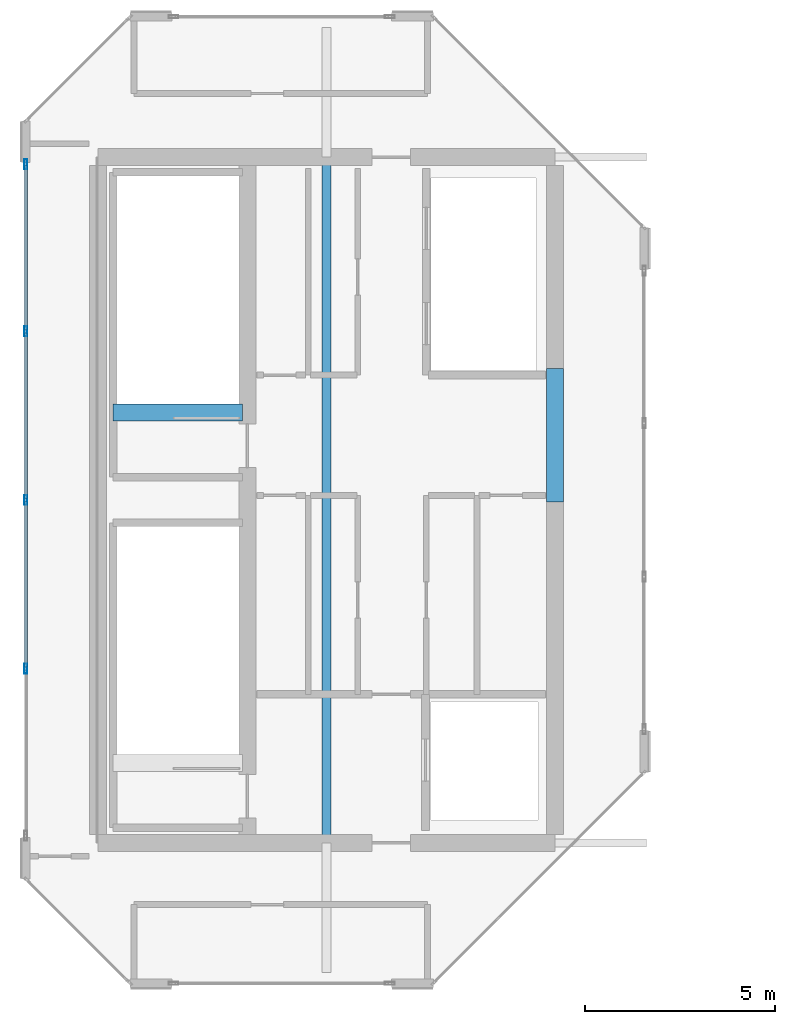
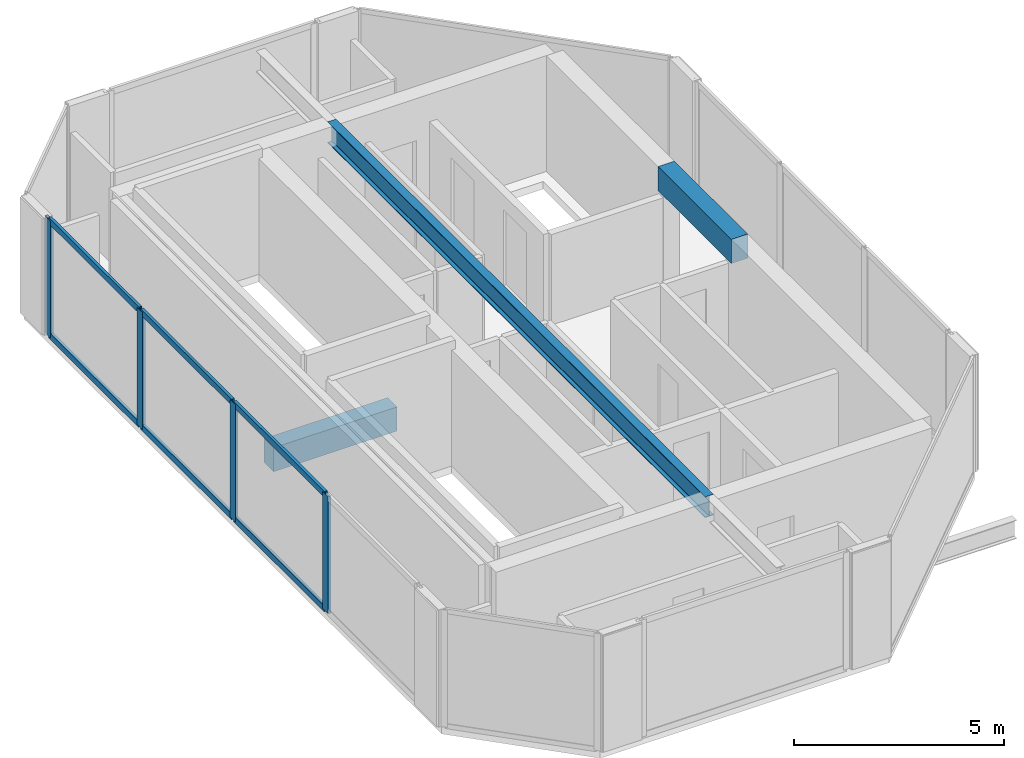
# One storey, part 4 of 28: 10 members, 3 beams, 1 element without a shape of its own.
"""IFC4 building model written with IfcOpenShell, lengths in metres."""

import ifcopenshell
import ifcopenshell.guid

model = None  # the IFC model being written
_history = None  # IfcOwnerHistory: only IFC2X3 demands one
_inside = {}  # id of a spatial element -> (the spatial element, [elements in it])
_under = {}  # id of a project, library or spatial element -> (it, [spatial elements below it])
_declared = {}  # id of a project -> (the project, [libraries it declares])
_typed = {}  # id of a type object -> (the type object, [elements of that type])
_made_of = {}  # id of a material, layer set ... -> (it, [elements and type objects made of it])


def new_model(schema):
    """Start an empty IFC model of exactly this schema.

    Asked for "IFC4X3", IfcOpenShell would pick the latest addendum, in which some entities
    have other attributes; the version numbers below select the first issue.
    IFC2X3 requires an IfcOwnerHistory on every rooted entity: one is made here for all.
    """
    global model, _history
    if schema == "IFC4X3":
        model = ifcopenshell.file(schema_version=(4, 3, 0, 0))
    else:
        model = ifcopenshell.file(schema=schema)
    _inside.clear()
    _under.clear()
    _declared.clear()
    _typed.clear()
    _made_of.clear()
    _history = None
    if model.schema == "IFC2X3":
        org = make("IfcOrganization", Name="unknown")
        user = make(
            "IfcPersonAndOrganization",
            ThePerson=make("IfcPerson", FamilyName="unknown"),
            TheOrganization=org,
        )
        app = make(
            "IfcApplication",
            ApplicationDeveloper=org,
            Version="unknown",
            ApplicationFullName="unknown",
            ApplicationIdentifier="unknown",
        )
        _history = make(
            "IfcOwnerHistory",
            OwningUser=user,
            OwningApplication=app,
            ChangeAction="ADDED",
            CreationDate=0,
        )
    return model


def make(cls, **values):
    """One entity of the class cls with the attributes given. An attribute that is None is left unset."""
    return model.create_entity(
        cls, **{name: value for name, value in values.items() if value is not None}
    )


def rooted(cls, **values):
    """An entity with a GlobalId (a new one), such as an element, a storey or a relation."""
    return make(cls, GlobalId=ifcopenshell.guid.new(), OwnerHistory=_history, **values)


def si_unit(unit_type, name, prefix=None):
    """IfcSIUnit, for example si_unit("LENGTHUNIT", "METRE", prefix="MILLI")."""
    return make("IfcSIUnit", UnitType=unit_type, Prefix=prefix, Name=name)


def assignment(units):
    """IfcUnitAssignment: the units of a project."""
    return None if units is None else make("IfcUnitAssignment", Units=units)


def point(xyz):
    """IfcCartesianPoint."""
    return None if xyz is None else make("IfcCartesianPoint", Coordinates=xyz)


def direction(xyz):
    """IfcDirection."""
    return None if xyz is None else make("IfcDirection", DirectionRatios=xyz)


def frame(location, z_axis=None, x_axis=None):
    """IfcAxis2Placement3D, a coordinate frame: its origin and axes. An axis left out is left unset."""
    return make(
        "IfcAxis2Placement3D",
        Location=point(location),
        Axis=direction(z_axis),
        RefDirection=direction(x_axis),
    )


def frame_2d(location, x_axis=None):
    """IfcAxis2Placement2D, a coordinate frame in the plane: its origin and x axis."""
    return make(
        "IfcAxis2Placement2D", Location=point(location), RefDirection=direction(x_axis)
    )


def origin():
    """The frame at (0, 0, 0) with its axes left unset."""
    return frame((0.0, 0.0, 0.0))


def origin_2d():
    """The frame at (0, 0) in the plane with its x axis left unset."""
    return frame_2d((0.0, 0.0))


def place(relative_to, where):
    """IfcLocalPlacement: puts the frame where relative to a parent placement (None: the world)."""
    return make(
        "IfcLocalPlacement", PlacementRelTo=relative_to, RelativePlacement=where
    )


def context(
    kind, dimensions, precision=None, world=None, true_north=None, identifier=None
):
    """IfcGeometricRepresentationContext, for example the 3D "Model" context."""
    return make(
        "IfcGeometricRepresentationContext",
        ContextIdentifier=identifier,
        ContextType=kind,
        CoordinateSpaceDimension=dimensions,
        Precision=precision,
        WorldCoordinateSystem=world,
        TrueNorth=true_north,
    )


def subcontext(parent, identifier, kind, view, scale=None):
    """IfcGeometricRepresentationSubContext, for example "Body" below "Model"."""
    return make(
        "IfcGeometricRepresentationSubContext",
        ContextIdentifier=identifier,
        ContextType=kind,
        ParentContext=parent,
        TargetScale=scale,
        TargetView=view,
    )


def project(units=None, contexts=None):
    """IfcProject with its units and contexts."""
    return rooted(
        "IfcProject",
        Name="project",
        RepresentationContexts=contexts,
        UnitsInContext=assignment(units),
    )


def spatial(cls, under=None, at=None, **own):
    """A site, building, storey or space (cls), placed at a placement, below another one or the project."""
    s = rooted(cls, ObjectPlacement=at, **own)
    if under is not None:
        _under.setdefault(under.id(), (under, []))[1].append(s)
    return s


def profile(cls, at=None, kind="AREA", **sizes):
    """A parametric profile (cls). Its sizes go by their IFC names, for example OverallWidth=200.0."""
    return make(cls, ProfileType=kind, Position=at, **sizes)


def rectangle(**sizes):
    """IfcRectangleProfileDef."""
    return profile("IfcRectangleProfileDef", **sizes)


def hollow_rectangle(**sizes):
    """IfcRectangleHollowProfileDef."""
    return profile("IfcRectangleHollowProfileDef", **sizes)


def i_section(**sizes):
    """IfcIShapeProfileDef."""
    return profile("IfcIShapeProfileDef", **sizes)


def extrude(swept, where, along, depth):
    """IfcExtrudedAreaSolid: the profile swept, set in the frame where, extruded along a direction by depth."""
    return make(
        "IfcExtrudedAreaSolid",
        SweptArea=swept,
        Position=where,
        ExtrudedDirection=direction(along),
        Depth=depth,
    )


def shape(context_of_items, identifier, shape_type, items):
    """IfcShapeRepresentation: the items that make up one representation, for example the "Body"."""
    return make(
        "IfcShapeRepresentation",
        ContextOfItems=context_of_items,
        RepresentationIdentifier=identifier,
        RepresentationType=shape_type,
        Items=items,
    )


def material(Name=None, Category=None):
    """IfcMaterial."""
    return make("IfcMaterial", Name=Name, Category=Category)


def layer(
    of_material, thickness, ventilated=None, Name=None, Category=None, Priority=None
):
    """IfcMaterialLayer: one layer of a wall or slab, of a material (None: an air gap)."""
    return make(
        "IfcMaterialLayer",
        Material=of_material,
        LayerThickness=thickness,
        IsVentilated=ventilated,
        Name=Name,
        Category=Category,
        Priority=Priority,
    )


def layer_set(layers, Name=None):
    """IfcMaterialLayerSet."""
    return make("IfcMaterialLayerSet", MaterialLayers=layers, LayerSetName=Name)


def material_profile(
    of_material, cross_section, Name=None, Category=None, Priority=None
):
    """IfcMaterialProfile: a cross section and its material."""
    return make(
        "IfcMaterialProfile",
        Name=Name,
        Material=of_material,
        Profile=cross_section,
        Priority=Priority,
        Category=Category,
    )


def profile_set(profiles, Name=None, composite=None):
    """IfcMaterialProfileSet."""
    return make(
        "IfcMaterialProfileSet",
        Name=Name,
        MaterialProfiles=profiles,
        CompositeProfile=composite,
    )


def made_of(thing, what):
    """Note that an element or type object is made of a material, layer set ...; save() writes the relation."""
    if what is not None:
        _made_of.setdefault(what.id(), (what, []))[1].append(thing)
    return thing


def type_object(cls, material=None, **own):
    """A type object (cls), such as IfcWallType, which elements share."""
    return made_of(rooted(cls, **own), material)


def element(
    cls,
    number,
    at=None,
    inside=None,
    cuts=None,
    type_object=None,
    material=None,
    context=None,
    identifier="Body",
    shape_type=None,
    held_by="IfcProductDefinitionShape",
    body=None,
    shapes=None,
    **own,
):
    """One element of the class cls, such as IfcWall. Its Tag is "e" and its number.

    at: its placement. inside: the storey or other place that contains it. cuts: it is an
    opening in that element (IfcRelVoidsElement). A single representation is given by context,
    identifier, shape_type and body (its items); several are given by shapes. held_by: the class
    of the entity that holds the representations. save() writes the other relations.
    """
    e = rooted(cls, Tag="e%d" % number, ObjectPlacement=at, **own)
    if body is not None:
        shapes = [shape(context, identifier, shape_type, body)]
    if shapes is not None:
        e.Representation = make(held_by, Representations=shapes)
    if inside is not None:
        _inside.setdefault(inside.id(), (inside, []))[1].append(e)
    if cuts is not None:
        rooted(
            "IfcRelVoidsElement", RelatingBuildingElement=cuts, RelatedOpeningElement=e
        )
    if type_object is not None:
        _typed.setdefault(type_object.id(), (type_object, []))[1].append(e)
    return made_of(e, material)


def aggregate(whole, parts):
    """IfcRelAggregates: a whole, such as a stair, and the parts it consists of."""
    return rooted("IfcRelAggregates", RelatingObject=whole, RelatedObjects=parts)


def save(model, path):
    """Write the relations noted so far, then the file.

    IfcRelAggregates (storeys below a building ...), IfcRelContainedInSpatialStructure (elements
    in a storey), IfcRelDefinesByType, IfcRelAssociatesMaterial and IfcRelDeclares: one each for
    every whole, place, type object, material and project.
    """
    for whole, parts in _under.values():
        aggregate(whole, parts)
    for where, things in _inside.values():
        rooted(
            "IfcRelContainedInSpatialStructure",
            RelatedElements=things,
            RelatingStructure=where,
        )
    for kind, things in _typed.values():
        rooted("IfcRelDefinesByType", RelatedObjects=things, RelatingType=kind)
    for what, things in _made_of.values():
        rooted("IfcRelAssociatesMaterial", RelatedObjects=things, RelatingMaterial=what)
    for by, libraries in _declared.values():
        rooted("IfcRelDeclares", RelatingContext=by, RelatedDefinitions=libraries)
    model.write(path)


model = new_model("IFC4")

# Units and contexts
model_context = context("Model", 3, precision=1e-05, world=origin(), true_north=direction((0.0, 1.0)))
body_context = subcontext(model_context, "Body", "Model", "MODEL_VIEW")
ifc_project = project(units=[si_unit("LENGTHUNIT", "METRE"), si_unit("AREAUNIT", "SQUARE_METRE"), si_unit("VOLUMEUNIT", "CUBIC_METRE"), si_unit("PLANEANGLEUNIT", "RADIAN"), si_unit("MASSUNIT", "GRAM", prefix="KILO")], contexts=[model_context])

# Site, building, storey
site_placement = place(None, origin())
site = spatial("IfcSite", under=ifc_project, at=site_placement, CompositionType="ELEMENT")
building_placement = place(site_placement, origin())
building = spatial("IfcBuilding", under=site, at=building_placement, Name="Tanjung Sevakor Pilgrim Tower", CompositionType="ELEMENT")
storey_placement = place(building_placement, frame((0.0, 0.0, 257.070068359375)))
storey = spatial("IfcBuildingStorey", under=building, at=storey_placement, Name="L72", CompositionType="ELEMENT", Elevation=257.070068359375)

# Beams
ifc_material_1 = material(Name="Steel S355J2", Category="steel")
ifc_material_profile_1 = material_profile(ifc_material_1, i_section(OverallWidth=0.22900390625, OverallDepth=0.6123046875, WebThickness=0.011962890625, FlangeThickness=0.01953125, FilletRadius=0.0126953125, at=origin_2d()))
ifc_profile_set_1 = profile_set([ifc_material_profile_1], Name="Steel S355J2")
beam_type_1 = type_object("IfcBeamType", Name="BM-B-G4-UB_610x229x125", PredefinedType="BEAM", material=ifc_profile_set_1)
beam_1_placement = place(storey_placement, frame((30.0, 24.60009765625, 3.063720703125), z_axis=(0.0, 1.0, 0.0), x_axis=(-1.0, 0.0, 0.0)))
element("IfcBeam", 1, at=beam_1_placement, inside=storey, type_object=beam_type_1, Name="L72 WPK Roof Back-Span Girder NS", PredefinedType="BEAM", context=body_context, shape_type="SweptSolid", body=[
    extrude(i_section(OverallWidth=0.22900390625, OverallDepth=0.6123046875, WebThickness=0.011962890625, FlangeThickness=0.01953125, FilletRadius=0.0126953125, at=origin_2d()), origin(), (0.0, 0.0, 1.0), 18.0),
])
ifc_material_2 = material(Name="Concrete C60/75", Category="concrete")
ifc_material_profile_2 = material_profile(ifc_material_2, rectangle(XDim=0.449951171875, YDim=0.699951171875, at=origin_2d()))
ifc_profile_set_2 = profile_set([ifc_material_profile_2], Name="Concrete C60/75")
beam_type_2 = type_object("IfcBeamType", Name="BM-B-LN3-RC-BM_450x700", PredefinedType="LINTEL", material=ifc_profile_set_2)
beam_2_placement = place(storey_placement, frame((36.0, 33.550048828125, 3.02001953125), z_axis=(0.0, 1.0, 0.0), x_axis=(-1.0, 0.0, 0.0)))
element("IfcBeam", 2, at=beam_2_placement, inside=storey, type_object=beam_type_2, Name="L72 W Core Coupling Lintel", PredefinedType="LINTEL", context=body_context, shape_type="SweptSolid", body=[
    extrude(rectangle(XDim=0.449951171875, YDim=0.699951171875, at=origin_2d()), origin(), (0.0, 0.0, 1.0), 3.5),
])
beam_3_placement = place(storey_placement, frame((24.39990234375, 35.89990234375, -0.35009765625), z_axis=(1.0, 0.0, 0.0), x_axis=(0.0, 1.0, 0.0)))
element("IfcBeam", 3, at=beam_3_placement, inside=storey, type_object=beam_type_2, Name="L72 TS-W2 Stair Threshold Beam", PredefinedType="LINTEL", context=body_context, shape_type="SweptSolid", body=[
    extrude(rectangle(XDim=0.449951171875, YDim=0.699951171875, at=origin_2d()), origin(), (0.0, 0.0, 1.0), 3.400146484375),
])

# Curtain wall, members
ifc_material_3 = material(Name="Aluminium 6063-T6 and Low-E Glass", Category="aluminium")
ifc_layer = layer(ifc_material_3, 0.199951171875)
ifc_layer_set = layer_set([ifc_layer], Name="CW-SYS-CRNW")
curtain_wall_type = type_object("IfcCurtainWallType", Name="CW-SYS-CRNW", PredefinedType="NOTDEFINED", material=ifc_layer_set)
curtain_wall_placement = place(storey_placement, origin())
curtain_wall = element("IfcCurtainWall", 4, at=curtain_wall_placement, inside=storey, type_object=curtain_wall_type, Name="L72 Curtain Wall CW-CRN-L72-WEST-6-1", PredefinedType="NOTDEFINED")
ifc_material_4 = material(Name="Aluminium 6063-T6", Category="aluminium")
ifc_material_profile_3 = material_profile(ifc_material_4, hollow_rectangle(XDim=0.080078125, YDim=0.260009765625, WallThickness=0.0048828125, at=origin_2d()))
ifc_profile_set_3 = profile_set([ifc_material_profile_3], Name="Aluminium 6063-T6")
member_type_1 = type_object("IfcMemberType", Name="TYPE-CWM-3", PredefinedType="MULLION", material=ifc_profile_set_3)
member_1_placement = place(storey_placement, frame((22.110107421875, 42.414306640625, 0.0), z_axis=(0.0, 0.0, 1.0), x_axis=(1.0, 0.0, 0.0)))
member_1 = element("IfcMember", 5, at=member_1_placement, type_object=member_type_1, Name="CW-CRW mullion 1", PredefinedType="MULLION", context=body_context, shape_type="SweptSolid", body=[
    extrude(hollow_rectangle(XDim=0.080078125, YDim=0.260009765625, WallThickness=0.0048828125, at=origin_2d()), origin(), (0.0, 0.0, 1.0), 3.409912109375),
])
member_2_placement = place(storey_placement, frame((22.110107421875, 38.027099609375, 0.0), z_axis=(0.0, 0.0, 1.0), x_axis=(1.0, 0.0, 0.0)))
member_2 = element("IfcMember", 6, at=member_2_placement, type_object=member_type_1, Name="CW-CRW mullion 2", PredefinedType="MULLION", context=body_context, shape_type="SweptSolid", body=[
    extrude(hollow_rectangle(XDim=0.080078125, YDim=0.260009765625, WallThickness=0.0048828125, at=origin_2d()), origin(), (0.0, 0.0, 1.0), 3.409912109375),
])
member_3_placement = place(storey_placement, frame((22.110107421875, 33.60009765625, 0.0), z_axis=(0.0, 0.0, 1.0), x_axis=(1.0, 0.0, 0.0)))
member_3 = element("IfcMember", 7, at=member_3_placement, type_object=member_type_1, Name="CW-CRW mullion 3", PredefinedType="MULLION", context=body_context, shape_type="SweptSolid", body=[
    extrude(hollow_rectangle(XDim=0.080078125, YDim=0.260009765625, WallThickness=0.0048828125, at=origin_2d()), origin(), (0.0, 0.0, 1.0), 3.409912109375),
])
member_4_placement = place(storey_placement, frame((22.110107421875, 29.1728515625, 0.0), z_axis=(0.0, 0.0, 1.0), x_axis=(1.0, 0.0, 0.0)))
member_4 = element("IfcMember", 8, at=member_4_placement, type_object=member_type_1, Name="CW-CRW mullion 4", PredefinedType="MULLION", context=body_context, shape_type="SweptSolid", body=[
    extrude(hollow_rectangle(XDim=0.080078125, YDim=0.260009765625, WallThickness=0.0048828125, at=origin_2d()), origin(), (0.0, 0.0, 1.0), 3.409912109375),
])
ifc_material_5 = material(Name="Aluminium 6063-T6", Category="aluminium")
ifc_material_profile_4 = material_profile(ifc_material_5, hollow_rectangle(XDim=0.080078125, YDim=0.179931640625, WallThickness=0.0048828125, at=origin_2d()))
ifc_profile_set_4 = profile_set([ifc_material_profile_4], Name="Aluminium 6063-T6")
member_type_2 = type_object("IfcMemberType", Name="TYPE-CWT-3", PredefinedType="USERDEFINED", material=ifc_profile_set_4)
member_5_placement = place(storey_placement, frame((22.110107421875, 42.37451171875, 0.0400390625), z_axis=(0.0, -1.0, 0.0), x_axis=(1.0, 0.0, 0.0)))
member_5 = element("IfcMember", 9, at=member_5_placement, type_object=member_type_2, Name="CW-CRW transom 1.1", ObjectType="TRANSOM", PredefinedType="USERDEFINED", context=body_context, shape_type="SweptSolid", body=[
    extrude(hollow_rectangle(XDim=0.080078125, YDim=0.179931640625, WallThickness=0.0048828125, at=origin_2d()), origin(), (0.0, 0.0, 1.0), 4.307373046875),
])
member_6_placement = place(storey_placement, frame((22.110107421875, 42.37451171875, 3.369873046875), z_axis=(0.0, -1.0, 0.0), x_axis=(1.0, 0.0, 0.0)))
member_6 = element("IfcMember", 10, at=member_6_placement, type_object=member_type_2, Name="CW-CRW transom 1.2", ObjectType="TRANSOM", PredefinedType="USERDEFINED", context=body_context, shape_type="SweptSolid", body=[
    extrude(hollow_rectangle(XDim=0.080078125, YDim=0.179931640625, WallThickness=0.0048828125, at=origin_2d()), origin(), (0.0, 0.0, 1.0), 4.307373046875),
])
member_7_placement = place(storey_placement, frame((22.110107421875, 37.9873046875, 0.0400390625), z_axis=(0.0, -1.0, 0.0), x_axis=(1.0, 0.0, 0.0)))
member_7 = element("IfcMember", 11, at=member_7_placement, type_object=member_type_2, Name="CW-CRW transom 2.1", ObjectType="TRANSOM", PredefinedType="USERDEFINED", context=body_context, shape_type="SweptSolid", body=[
    extrude(hollow_rectangle(XDim=0.080078125, YDim=0.179931640625, WallThickness=0.0048828125, at=origin_2d()), origin(), (0.0, 0.0, 1.0), 4.347412109375),
])
member_8_placement = place(storey_placement, frame((22.110107421875, 37.9873046875, 3.369873046875), z_axis=(0.0, -1.0, 0.0), x_axis=(1.0, 0.0, 0.0)))
member_8 = element("IfcMember", 12, at=member_8_placement, type_object=member_type_2, Name="CW-CRW transom 2.2", ObjectType="TRANSOM", PredefinedType="USERDEFINED", context=body_context, shape_type="SweptSolid", body=[
    extrude(hollow_rectangle(XDim=0.080078125, YDim=0.179931640625, WallThickness=0.0048828125, at=origin_2d()), origin(), (0.0, 0.0, 1.0), 4.347412109375),
])
member_9_placement = place(storey_placement, frame((22.110107421875, 33.56005859375, 0.0400390625), z_axis=(0.0, -1.0, 0.0), x_axis=(1.0, 0.0, 0.0)))
member_9 = element("IfcMember", 13, at=member_9_placement, type_object=member_type_2, Name="CW-CRW transom 3.1", ObjectType="TRANSOM", PredefinedType="USERDEFINED", context=body_context, shape_type="SweptSolid", body=[
    extrude(hollow_rectangle(XDim=0.080078125, YDim=0.179931640625, WallThickness=0.0048828125, at=origin_2d()), origin(), (0.0, 0.0, 1.0), 4.34716796875),
])
member_10_placement = place(storey_placement, frame((22.110107421875, 33.56005859375, 3.369873046875), z_axis=(0.0, -1.0, 0.0), x_axis=(1.0, 0.0, 0.0)))
member_10 = element("IfcMember", 14, at=member_10_placement, type_object=member_type_2, Name="CW-CRW transom 3.2", ObjectType="TRANSOM", PredefinedType="USERDEFINED", context=body_context, shape_type="SweptSolid", body=[
    extrude(hollow_rectangle(XDim=0.080078125, YDim=0.179931640625, WallThickness=0.0048828125, at=origin_2d()), origin(), (0.0, 0.0, 1.0), 4.34716796875),
])
aggregate(curtain_wall, [member_1, member_2, member_3, member_4, member_5, member_6, member_7, member_8, member_9, member_10])

save(model, "model.ifc")
